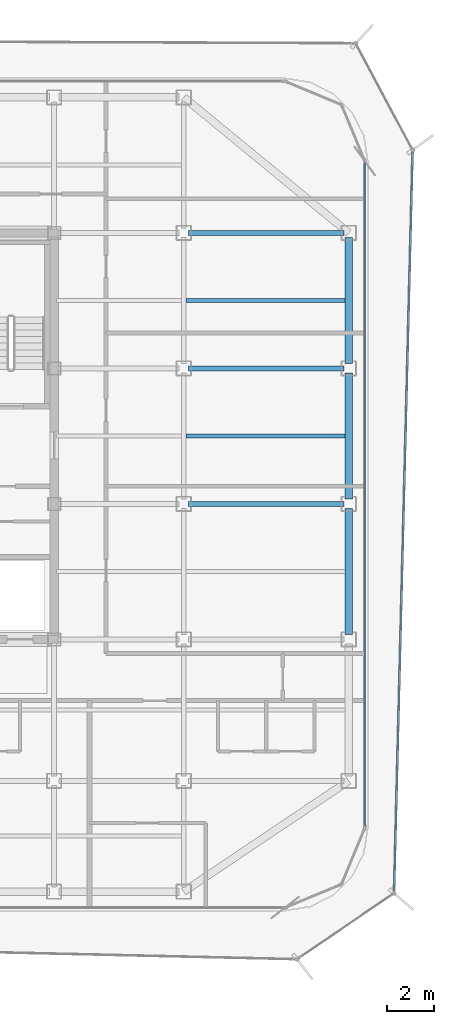
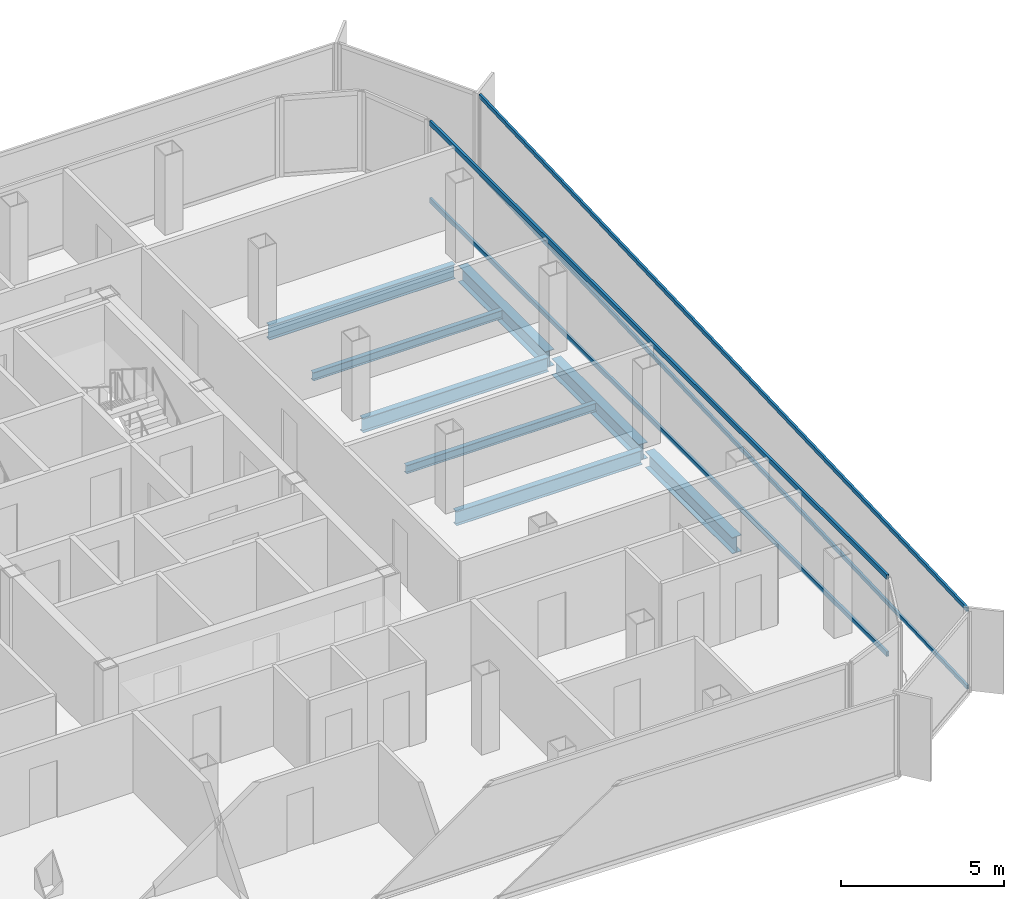
# One storey, part 5 of 15: 8 beams, 4 members, 2 elements without a shape of their own.
"""IFC4 building model written with IfcOpenShell, lengths in metres."""

from ifc_helpers import new_model, si_unit, direction, frame, origin, origin_2d, place, context, subcontext, project, spatial, hollow_rectangle, i_section, extrude, source, transform, mapped, material, layer, layer_set, material_profile, profile_set, type_object, element, aggregate, save


model = new_model("IFC4")

# Units and contexts
model_context = context("Model", 3, precision=1e-05, world=origin(), true_north=direction((0.0, 1.0)))
body_context = subcontext(model_context, "Body", "Model", "MODEL_VIEW")
ifc_project = project(units=[si_unit("LENGTHUNIT", "METRE"), si_unit("AREAUNIT", "SQUARE_METRE"), si_unit("VOLUMEUNIT", "CUBIC_METRE"), si_unit("PLANEANGLEUNIT", "RADIAN"), si_unit("MASSUNIT", "GRAM", prefix="KILO")], contexts=[model_context])

# Site, building, storey
site_placement = place(None, origin())
site = spatial("IfcSite", under=ifc_project, at=site_placement, CompositionType="ELEMENT")
building_placement = place(site_placement, origin())
building = spatial("IfcBuilding", under=site, at=building_placement, Name="Kolveth Station Tower", CompositionType="ELEMENT")
storey_placement = place(building_placement, frame((0.0, 0.0, 220.10009765625)))
storey = spatial("IfcBuildingStorey", under=building, at=storey_placement, Name="L62", CompositionType="ELEMENT", Elevation=220.10009765625)

# Beams
ifc_material_1 = material(Name="Steel S355", Category="steel")
ifc_material_profile_1 = material_profile(ifc_material_1, i_section(OverallWidth=0.323974609375, OverallDepth=0.611083984375, WebThickness=0.0126953125, FlangeThickness=0.01904296875, at=origin_2d()), Name="W610x155")
ifc_profile_set_1 = profile_set([ifc_material_profile_1], Name="Steel S355")
beam_type_1 = type_object("IfcBeamType", Name="Beam_SP2", PredefinedType="SPANDREL", material=ifc_profile_set_1)
shared_shape_1 = source(origin(), body_context, "Body", "SweptSolid", [
    extrude(i_section(OverallWidth=0.323974609375, OverallDepth=0.611083984375, WebThickness=0.0126953125, FlangeThickness=0.01904296875, at=origin_2d()), origin(), (0.0, 0.0, 1.0), 5.35009765625),
])
for number, where, z_axis, x_axis, name in (
    (1, (41.0, 11.699951171875, -0.525634765625), (0.0, 1.0, 0.0), (-1.0, 0.0, 0.0), "L62 Perimeter Spandrel BM-L62-PE-2"),
    (2, (41.0, 17.449951171875, -0.525634765625), (0.0, 1.0, 0.0), (-1.0, 0.0, 0.0), "L62 Perimeter Spandrel BM-L62-PE-3"),
    (3, (41.0, 23.199951171875, -0.525634765625), (0.0, 1.0, 0.0), (-1.0, 0.0, 0.0), "L62 Perimeter Spandrel BM-L62-PE-4"),
):
    element("IfcBeam", number, at=place(storey_placement, frame(where, z_axis=z_axis, x_axis=x_axis)), inside=storey, type_object=beam_type_1, Name=name, PredefinedType="SPANDREL", context=body_context, shape_type="MappedRepresentation", body=[
        mapped(shared_shape_1, transform((0.0, 0.0, 0.0), x_axis=(1.0, 0.0, 0.0), y_axis=(0.0, 1.0, 0.0), z_axis=(0.0, 0.0, 1.0), scale=1.0)),
    ])
ifc_material_profile_2 = material_profile(ifc_material_1, i_section(OverallWidth=0.2099609375, OverallDepth=0.537109375, WebThickness=0.010986328125, FlangeThickness=0.017333984375, at=origin_2d()), Name="W530x101")
ifc_profile_set_2 = profile_set([ifc_material_profile_2], Name="Steel S355")
beam_type_2 = type_object("IfcBeamType", Name="Beam_B6", PredefinedType="BEAM", material=ifc_profile_set_2)
shared_shape_2 = source(origin(), body_context, "Body", "SweptSolid", [
    extrude(i_section(OverallWidth=0.2099609375, OverallDepth=0.537109375, WebThickness=0.010986328125, FlangeThickness=0.017333984375, at=origin_2d()), origin(), (0.0, 0.0, 1.0), 6.60009765625),
])
for number, where, z_axis, x_axis, name in (
    (4, (34.199951171875, 17.25, -0.488525390625), (1.0, 0.0, 0.0), (0.0, 1.0, 0.0), "L62 Primary Girder BM-L62-GY172-5"),
    (5, (34.199951171875, 23.0, -0.488525390625), (1.0, 0.0, 0.0), (0.0, 1.0, 0.0), "L62 Primary Girder BM-L62-GY230-5"),
    (6, (34.199951171875, 28.75, -0.488525390625), (1.0, 0.0, 0.0), (0.0, 1.0, 0.0), "L62 Primary Girder BM-L62-GY287-5"),
):
    element("IfcBeam", number, at=place(storey_placement, frame(where, z_axis=z_axis, x_axis=x_axis)), inside=storey, type_object=beam_type_2, Name=name, PredefinedType="BEAM", context=body_context, shape_type="MappedRepresentation", body=[
        mapped(shared_shape_2, transform((0.0, 0.0, 0.0), x_axis=(1.0, 0.0, 0.0), y_axis=(0.0, 1.0, 0.0), z_axis=(0.0, 0.0, 1.0), scale=1.0)),
    ])
ifc_material_profile_3 = material_profile(ifc_material_1, i_section(OverallWidth=0.1650390625, OverallDepth=0.31005859375, WebThickness=0.005859375, FlangeThickness=0.009765625, at=origin_2d()), Name="W310x39")
ifc_profile_set_3 = profile_set([ifc_material_profile_3], Name="Steel S355")
beam_type_3 = type_object("IfcBeamType", Name="Beam_J3", PredefinedType="JOIST", material=ifc_profile_set_3)
shared_shape_3 = source(origin(), body_context, "Body", "SweptSolid", [
    extrude(i_section(OverallWidth=0.1650390625, OverallDepth=0.31005859375, WebThickness=0.005859375, FlangeThickness=0.009765625, at=origin_2d()), origin(), (0.0, 0.0, 1.0), 6.737060546875),
])
for number, where, z_axis, x_axis, name in (
    (7, (34.10302734375, 20.125, -0.375), (1.0, 0.0, 0.0), (0.0, 1.0, 0.0), "L62 Secondary Joist JST-L62-5-4"),
    (8, (34.10302734375, 25.875, -0.375), (1.0, 0.0, 0.0), (0.0, 1.0, 0.0), "L62 Secondary Joist JST-L62-5-5"),
):
    element("IfcBeam", number, at=place(storey_placement, frame(where, z_axis=z_axis, x_axis=x_axis)), inside=storey, type_object=beam_type_3, Name=name, PredefinedType="JOIST", context=body_context, shape_type="MappedRepresentation", body=[
        mapped(shared_shape_3, transform((0.0, 0.0, 0.0), x_axis=(1.0, 0.0, 0.0), y_axis=(0.0, 1.0, 0.0), z_axis=(0.0, 0.0, 1.0), scale=1.0)),
    ])

# Curtain wall, members
ifc_material_2 = material(Name="Aluminium 6063-T6 and triple low-E dark glass", Category="aluminium")
ifc_layer_1 = layer(ifc_material_2, 0.199951171875)
ifc_layer_set_1 = layer_set([ifc_layer_1], Name="Aluminium 6063-T6 and triple low-E dark glass")
curtain_wall_type_1 = type_object("IfcCurtainWallType", Name="CurtainWall_CW-Z3", PredefinedType="NOTDEFINED", material=ifc_layer_set_1)
curtain_wall_1_placement = place(storey_placement, origin())
curtain_wall_1 = element("IfcCurtainWall", 9, at=curtain_wall_1_placement, inside=storey, type_object=curtain_wall_type_1, Name="L62 Inner Thermal Curtain Wall 3", PredefinedType="NOTDEFINED")
ifc_material_3 = material(Name="Black anodized aluminium 6063-T6", Category="aluminium")
ifc_material_profile_4 = material_profile(ifc_material_3, hollow_rectangle(XDim=0.0849609375, YDim=0.179931640625, WallThickness=0.0048828125, at=origin_2d()), Name="ALU-85x180x5")
ifc_profile_set_4 = profile_set([ifc_material_profile_4], Name="Black anodized aluminium 6063-T6")
member_type_1 = type_object("IfcMemberType", Name="Transom_TR3", PredefinedType="USERDEFINED", material=ifc_profile_set_4)
shared_shape_4 = source(origin(), body_context, "Body", "SweptSolid", [
    extrude(hollow_rectangle(XDim=0.0849609375, YDim=0.179931640625, WallThickness=0.0048828125, at=origin_2d()), origin(), (0.0, 0.0, 1.0), 28.130126953125),
])
member_1_placement = place(storey_placement, frame((41.679931640625, 3.5849609375, 0.04248046875), z_axis=(0.0, 1.0, 0.0), x_axis=(-1.0, 0.0, 0.0)))
member_1 = element("IfcMember", 10, at=member_1_placement, type_object=member_type_1, Name="CW-Z3 transom 1.1", ObjectType="TRANSOM", PredefinedType="USERDEFINED", context=body_context, shape_type="MappedRepresentation", body=[
    mapped(shared_shape_4, transform((0.0, 0.0, 0.0), x_axis=(1.0, 0.0, 0.0), y_axis=(0.0, 1.0, 0.0), z_axis=(0.0, 0.0, 1.0), scale=1.0)),
])
member_2_placement = place(storey_placement, frame((41.679931640625, 3.5849609375, 2.9375), z_axis=(0.0, 1.0, 0.0), x_axis=(-1.0, 0.0, 0.0)))
member_2 = element("IfcMember", 11, at=member_2_placement, type_object=member_type_1, Name="CW-Z3 transom 1.2", ObjectType="TRANSOM", PredefinedType="USERDEFINED", context=body_context, shape_type="MappedRepresentation", body=[
    mapped(shared_shape_4, transform((0.0, 0.0, 0.0), x_axis=(1.0, 0.0, 0.0), y_axis=(0.0, 1.0, 0.0), z_axis=(0.0, 0.0, 1.0), scale=1.0)),
])
aggregate(curtain_wall_1, [member_1, member_2])

ifc_material_4 = material(Name="Black anodized aluminium 6063-T6 and dark solar glass", Category="aluminium")
ifc_layer_2 = layer(ifc_material_4, 0.159912109375)
ifc_layer_set_2 = layer_set([ifc_layer_2], Name="Black anodized aluminium 6063-T6 and dark solar glass")
curtain_wall_type_2 = type_object("IfcCurtainWallType", Name="OUTER SKIN CW-OS", PredefinedType="NOTDEFINED", material=ifc_layer_set_2)
curtain_wall_2_placement = place(storey_placement, origin())
curtain_wall_2 = element("IfcCurtainWall", 12, at=curtain_wall_2_placement, inside=storey, type_object=curtain_wall_type_2, Name="L62 Outer Ventilated Skin Curtain Wall 2", PredefinedType="NOTDEFINED")
ifc_material_profile_5 = material_profile(ifc_material_3, hollow_rectangle(XDim=0.080078125, YDim=0.14990234375, WallThickness=0.0048828125, at=origin_2d()), Name="ALU-80x150x5")
ifc_profile_set_5 = profile_set([ifc_material_profile_5], Name="Black anodized aluminium 6063-T6")
member_type_2 = type_object("IfcMemberType", Name="Transom_TR-OS", PredefinedType="USERDEFINED", material=ifc_profile_set_5)
shared_shape_5 = source(origin(), body_context, "Body", "SweptSolid", [
    extrude(hollow_rectangle(XDim=0.080078125, YDim=0.14990234375, WallThickness=0.0048828125, at=origin_2d()), origin(), (0.0, 0.0, 1.0), 31.367431640625),
])
member_3_placement = place(storey_placement, frame((42.927490234375, 0.820068359375, 0.039794921875), z_axis=(0.025007553457, 0.999687262233, 0.0), x_axis=(-0.999687262233, 0.025007553457, 0.0)))
member_3 = element("IfcMember", 13, at=member_3_placement, type_object=member_type_2, Name="CW-OS transom 1.1", ObjectType="TRANSOM", PredefinedType="USERDEFINED", context=body_context, shape_type="MappedRepresentation", body=[
    mapped(shared_shape_5, transform((0.0, 0.0, 0.0), x_axis=(1.0, 0.0, 0.0), y_axis=(0.0, 1.0, 0.0), z_axis=(0.0, 0.0, 1.0), scale=1.0)),
])
member_4_placement = place(storey_placement, frame((42.927490234375, 0.820068359375, 2.949951171875), z_axis=(0.025007553457, 0.999687262233, 0.0), x_axis=(-0.999687262233, 0.025007553457, 0.0)))
member_4 = element("IfcMember", 14, at=member_4_placement, type_object=member_type_2, Name="CW-OS transom 1.2", ObjectType="TRANSOM", PredefinedType="USERDEFINED", context=body_context, shape_type="MappedRepresentation", body=[
    mapped(shared_shape_5, transform((0.0, 0.0, 0.0), x_axis=(1.0, 0.0, 0.0), y_axis=(0.0, 1.0, 0.0), z_axis=(0.0, 0.0, 1.0), scale=1.0)),
])
aggregate(curtain_wall_2, [member_3, member_4])

save(model, "model.ifc")
